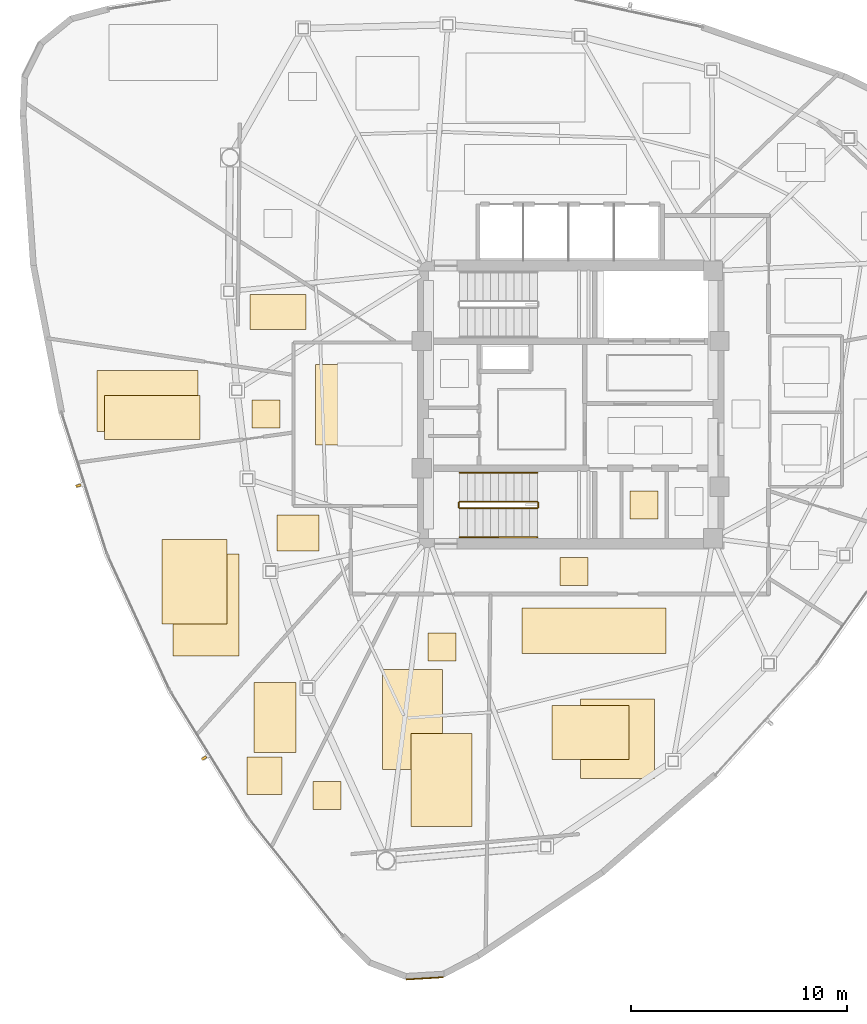
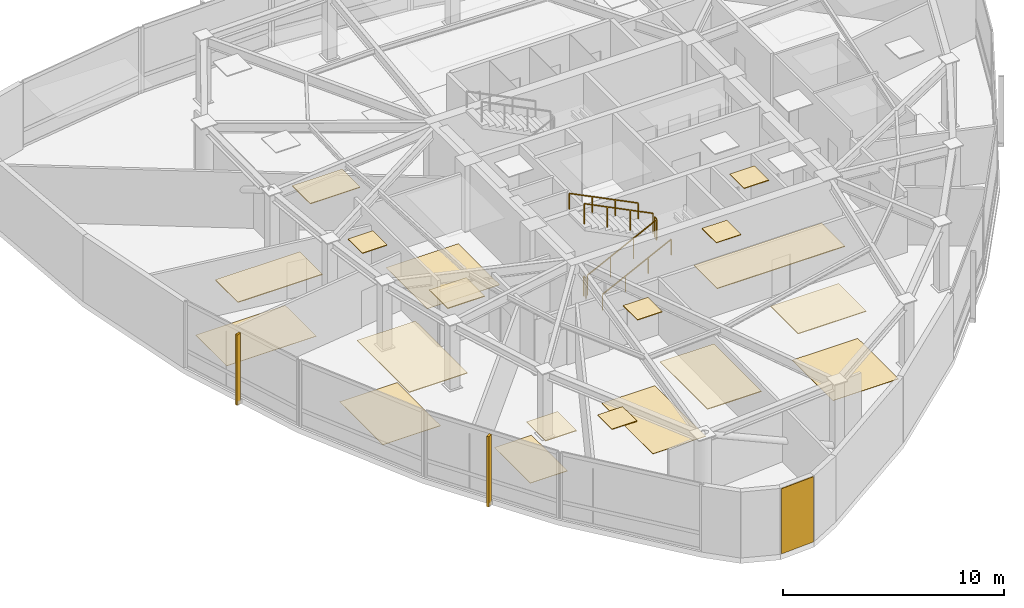
# One storey, part 12 of 14: 20 coverings, 6 railings, 2 shading devices.
"""IFC4 building model written with IfcOpenShell, lengths in metres."""

from ifc_helpers import new_model, si_unit, direction, frame, origin, origin_2d, place, context, subcontext, project, spatial, polyline, rectangle, outline, extrude, source, transform, mapped, material, layer, layer_set, type_object, type_shapes, element, save


model = new_model("IFC4")

# Units and contexts
model_context = context("Model", 3, precision=1e-05, world=origin(), true_north=direction((0.0, 1.0)))
body_context = subcontext(model_context, "Body", "Model", "MODEL_VIEW")
ifc_project = project(units=[si_unit("LENGTHUNIT", "METRE"), si_unit("AREAUNIT", "SQUARE_METRE"), si_unit("VOLUMEUNIT", "CUBIC_METRE"), si_unit("PLANEANGLEUNIT", "RADIAN"), si_unit("MASSUNIT", "GRAM", prefix="KILO")], contexts=[model_context])

# Site, building, storey
site_placement = place(None, origin())
site = spatial("IfcSite", under=ifc_project, at=site_placement, CompositionType="ELEMENT")
building_placement = place(site_placement, origin())
building = spatial("IfcBuilding", under=site, at=building_placement, Name="Tavelor Broadcast Tower", CompositionType="ELEMENT")
storey_placement = place(building_placement, frame((0.0, 0.0, 257.699951171875)))
storey = spatial("IfcBuildingStorey", under=building, at=storey_placement, Name="L61", CompositionType="ELEMENT", Elevation=257.699951171875)

# Covering
ifc_material_1 = material(Name="Copper-Bronze Anodized Aluminium", Category="aluminium")
ifc_layer_1 = layer(ifc_material_1, 0.050048828125)
ifc_layer_set_1 = layer_set([ifc_layer_1], Name="Copper-Bronze Anodized Aluminium")
covering_type_1 = type_object("IfcCoveringType", Name="Champagne-Bronze Corner Pier Metal Cladding 50 mm", PredefinedType="CLADDING", material=ifc_layer_set_1)
covering_1_placement = place(storey_placement, frame((43.2333984375, 18.392578125, 0.02001953125), z_axis=(0.0, 0.0, 1.0), x_axis=(0.998187693254, 0.060177479469, 0.0)))
element("IfcCovering", 1, at=covering_1_placement, inside=storey, type_object=covering_type_1, Name="L61 Champagne-Bronze Corner Cladding 13", PredefinedType="CLADDING", context=body_context, shape_type="SweptSolid", body=[
    extrude(rectangle(XDim=1.730224609375, YDim=0.050048828125, at=origin_2d()), origin(), (0.0, 0.0, 1.0), 3.610107421875),
])

# Railings
ifc_material_2 = material(Name="Steel S355", Category="steel")
railing_type_1 = type_object("IfcRailingType", Name="Continuous Brushed Stainless Handrail 900 mm", PredefinedType="HANDRAIL", material=ifc_material_2)
railing_1_placement = place(storey_placement, frame((44.85009765625, 38.85009765625, 0.1796875)))
element("IfcRailing", 2, at=railing_1_placement, inside=storey, type_object=railing_type_1, Name="L61 ST2 stair handrail 1", PredefinedType="HANDRAIL", context=body_context, shape_type="SweptSolid", body=[
    extrude(rectangle(XDim=0.048095703125, YDim=0.048095703125, at=origin_2d()), frame((0.0, 0.0, 0.8759765625), z_axis=(0.894875846893, 0.0, 0.446315156192), x_axis=(0.0, 1.0, 0.0)), (0.0, 0.0, 1.0), 4.022705078125),
    extrude(rectangle(XDim=0.0419921875, YDim=0.0419921875, at=origin_2d()), origin(), (0.0, 0.0, 1.0), 0.851806640625),
    extrude(rectangle(XDim=0.0419921875, YDim=0.0419921875, at=origin_2d()), frame((1.199951171875, 0.0, 0.598388671875)), (0.0, 0.0, 1.0), 0.851806640625),
    extrude(rectangle(XDim=0.0419921875, YDim=0.0419921875, at=origin_2d()), frame((2.39990234375, 0.0, 1.197021484375)), (0.0, 0.0, 1.0), 0.851806640625),
    extrude(rectangle(XDim=0.0419921875, YDim=0.0419921875, at=origin_2d()), frame((3.599853515625, 0.0, 1.79541015625)), (0.0, 0.0, 1.0), 0.851806640625),
])
railing_2_placement = place(storey_placement, frame((48.449951171875, 41.85009765625, 2.154541015625)))
element("IfcRailing", 3, at=railing_2_placement, inside=storey, type_object=railing_type_1, Name="L61 ST2 stair handrail 2", PredefinedType="HANDRAIL", context=body_context, shape_type="SweptSolid", body=[
    extrude(rectangle(XDim=0.048095703125, YDim=0.048095703125, at=origin_2d()), frame((0.0, 0.0, 0.8759765625), z_axis=(-0.894875846893, 0.0, 0.446315156192), x_axis=(0.0, -1.0, 0.0)), (0.0, 0.0, 1.0), 4.022705078125),
    extrude(rectangle(XDim=0.0419921875, YDim=0.0419921875, at=origin_2d()), origin(), (0.0, 0.0, 1.0), 0.851806640625),
    extrude(rectangle(XDim=0.0419921875, YDim=0.0419921875, at=origin_2d()), frame((-1.199951171875, 0.0, 0.598388671875)), (0.0, 0.0, 1.0), 0.851806640625),
    extrude(rectangle(XDim=0.0419921875, YDim=0.0419921875, at=origin_2d()), frame((-2.39990234375, 0.0, 1.197021484375)), (0.0, 0.0, 1.0), 0.851806640625),
    extrude(rectangle(XDim=0.0419921875, YDim=0.0419921875, at=origin_2d()), frame((-3.599853515625, 0.0, 1.79541015625)), (0.0, 0.0, 1.0), 0.851806640625),
])

# Coverings
ifc_material_3 = material(Name="Architectural Anodized Aluminium", Category="aluminium")
ifc_layer_2 = layer(ifc_material_3, 0.034912109375)
ifc_layer_set_2 = layer_set([ifc_layer_2], Name="Architectural Anodized Aluminium")
covering_type_2 = type_object("IfcCoveringType", Name="Demountable Metal Tile Corridor Ceiling 35 mm", PredefinedType="CEILING", material=ifc_layer_set_2)
covering_2_placement = place(storey_placement, frame((0.0, 0.0, 3.614990234375)))
element("IfcCovering", 4, at=covering_2_placement, inside=storey, type_object=covering_type_2, Name="L61 Suspended Acoustic Ceiling 2379", PredefinedType="CEILING", context=body_context, shape_type="SweptSolid", body=[
    extrude(outline(polyline([(49.51025390625, 36.610107421875), (50.810302734375, 36.610107421875), (50.810302734375, 37.909912109375), (49.51025390625, 37.909912109375), (49.51025390625, 36.610107421875)])), origin(), (0.0, 0.0, 1.0), 0.03515625),
])
ifc_material_4 = material(Name="Acoustic Nylon Carpet Tile")
ifc_layer_3 = layer(ifc_material_4, 0.02001953125)
ifc_layer_set_3 = layer_set([ifc_layer_3], Name="Acoustic Nylon Carpet Tile")
covering_type_3 = type_object("IfcCoveringType", Name="Heavy-Duty Acoustic Broadcast Carpet Tile 20 mm", PredefinedType="FLOORING", material=ifc_layer_set_3)
covering_3_placement = place(storey_placement, origin())
element("IfcCovering", 5, at=covering_3_placement, inside=storey, type_object=covering_type_3, Name="L61 Broadcast Floor Finish 0898", PredefinedType="FLOORING", context=body_context, shape_type="SweptSolid", body=[
    extrude(outline(polyline([(38.15771484375, 43.12890625), (41.942138671875, 43.12890625), (41.942138671875, 46.87060546875), (38.15771484375, 46.87060546875), (38.15771484375, 43.12890625)])), origin(), (0.0, 0.0, 1.0), 0.02001953125),
])
covering_4_placement = place(storey_placement, origin())
element("IfcCovering", 6, at=covering_4_placement, inside=storey, type_object=covering_type_3, Name="L61 Broadcast Floor Finish 0901", PredefinedType="FLOORING", context=body_context, shape_type="SweptSolid", body=[
    extrude(outline(polyline([(50.444580078125, 27.650146484375), (53.87548828125, 27.650146484375), (53.87548828125, 31.341796875), (50.444580078125, 31.341796875), (50.444580078125, 27.650146484375)])), origin(), (0.0, 0.0, 1.0), 0.02001953125),
])
covering_5_placement = place(storey_placement, origin())
element("IfcCovering", 7, at=covering_5_placement, inside=storey, type_object=covering_type_3, Name="L61 Broadcast Floor Finish 0902", PredefinedType="FLOORING", context=body_context, shape_type="SweptSolid", body=[
    extrude(outline(polyline([(41.272216796875, 28.089599609375), (44.0439453125, 28.089599609375), (44.0439453125, 32.705810546875), (41.272216796875, 32.705810546875), (41.272216796875, 28.089599609375)])), origin(), (0.0, 0.0, 1.0), 0.02001953125),
])
covering_6_placement = place(storey_placement, origin())
element("IfcCovering", 8, at=covering_6_placement, inside=storey, type_object=covering_type_3, Name="L61 Broadcast Floor Finish 0903", PredefinedType="FLOORING", context=body_context, shape_type="SweptSolid", body=[
    extrude(outline(polyline([(35.30517578125, 28.85498046875), (37.250244140625, 28.85498046875), (37.250244140625, 32.114990234375), (35.30517578125, 32.114990234375), (35.30517578125, 28.85498046875)])), origin(), (0.0, 0.0, 1.0), 0.02001953125),
])
covering_7_placement = place(storey_placement, origin())
element("IfcCovering", 9, at=covering_7_placement, inside=storey, type_object=covering_type_3, Name="L61 Broadcast Floor Finish 0904", PredefinedType="FLOORING", context=body_context, shape_type="SweptSolid", body=[
    extrude(outline(polyline([(31.039794921875, 34.822265625), (34.057373046875, 34.822265625), (34.057373046875, 38.751708984375), (31.039794921875, 38.751708984375), (31.039794921875, 34.822265625)])), origin(), (0.0, 0.0, 1.0), 0.02001953125),
])
covering_8_placement = place(storey_placement, origin())
element("IfcCovering", 10, at=covering_8_placement, inside=storey, type_object=covering_type_3, Name="L61 Broadcast Floor Finish 0905", PredefinedType="FLOORING", context=body_context, shape_type="SweptSolid", body=[
    extrude(outline(polyline([(28.027587890625, 43.7626953125), (32.713623046875, 43.7626953125), (32.713623046875, 46.57568359375), (28.027587890625, 46.57568359375), (28.027587890625, 43.7626953125)])), origin(), (0.0, 0.0, 1.0), 0.02001953125),
])

# Railings
railing_type_2 = type_object("IfcRailingType", Name="Stairwell Steel Safety Guardrail 1150 mm", PredefinedType="GUARDRAIL", material=ifc_material_2)
railing_3_placement = place(storey_placement, frame((44.85009765625, 40.199951171875, 0.1796875)))
element("IfcRailing", 11, at=railing_3_placement, inside=storey, type_object=railing_type_2, Name="L61 ST2 stair guard 1", PredefinedType="GUARDRAIL", context=body_context, shape_type="SweptSolid", body=[
    extrude(rectangle(XDim=0.048095703125, YDim=0.048095703125, at=origin_2d()), frame((0.0, 0.0, 1.1259765625), z_axis=(0.894875846893, 0.0, 0.446315156192), x_axis=(0.0, 1.0, 0.0)), (0.0, 0.0, 1.0), 4.022705078125),
    extrude(rectangle(XDim=0.0419921875, YDim=0.0419921875, at=origin_2d()), origin(), (0.0, 0.0, 1.0), 1.101806640625),
    extrude(rectangle(XDim=0.0419921875, YDim=0.0419921875, at=origin_2d()), frame((1.199951171875, 0.0, 0.598388671875)), (0.0, 0.0, 1.0), 1.101806640625),
    extrude(rectangle(XDim=0.0419921875, YDim=0.0419921875, at=origin_2d()), frame((2.39990234375, 0.0, 1.197021484375)), (0.0, 0.0, 1.0), 1.101806640625),
    extrude(rectangle(XDim=0.0419921875, YDim=0.0419921875, at=origin_2d()), frame((3.599853515625, 0.0, 1.79541015625)), (0.0, 0.0, 1.0), 1.101806640625),
])
railing_4_placement = place(storey_placement, frame((48.5, 40.25, 1.97509765625)))
element("IfcRailing", 12, at=railing_4_placement, inside=storey, type_object=railing_type_2, Name="L61 ST2 stair guard 2", PredefinedType="GUARDRAIL", context=body_context, shape_type="SweptSolid", body=[
    extrude(rectangle(XDim=0.048095703125, YDim=0.048095703125, at=origin_2d()), frame((0.0, 0.0, 1.1259765625), z_axis=(0.0, 1.0, 0.0), x_axis=(-1.0, 0.0, 0.0)), (0.0, 0.0, 1.0), 0.199951171875),
    extrude(rectangle(XDim=0.0419921875, YDim=0.0419921875, at=origin_2d()), origin(), (0.0, 0.0, 1.0), 1.101806640625),
    extrude(rectangle(XDim=0.0419921875, YDim=0.0419921875, at=origin_2d()), frame((0.0, 0.199951171875, 0.0)), (0.0, 0.0, 1.0), 1.101806640625),
])
railing_5_placement = place(storey_placement, frame((48.449951171875, 40.5, 2.154541015625)))
element("IfcRailing", 13, at=railing_5_placement, inside=storey, type_object=railing_type_2, Name="L61 ST2 stair guard 3", PredefinedType="GUARDRAIL", context=body_context, shape_type="SweptSolid", body=[
    extrude(rectangle(XDim=0.048095703125, YDim=0.048095703125, at=origin_2d()), frame((0.0, 0.0, 1.1259765625), z_axis=(-0.894875846893, 0.0, 0.446315156192), x_axis=(0.0, -1.0, 0.0)), (0.0, 0.0, 1.0), 4.022705078125),
    extrude(rectangle(XDim=0.0419921875, YDim=0.0419921875, at=origin_2d()), origin(), (0.0, 0.0, 1.0), 1.101806640625),
    extrude(rectangle(XDim=0.0419921875, YDim=0.0419921875, at=origin_2d()), frame((-1.199951171875, 0.0, 0.598388671875)), (0.0, 0.0, 1.0), 1.101806640625),
    extrude(rectangle(XDim=0.0419921875, YDim=0.0419921875, at=origin_2d()), frame((-2.39990234375, 0.0, 1.197021484375)), (0.0, 0.0, 1.0), 1.101806640625),
    extrude(rectangle(XDim=0.0419921875, YDim=0.0419921875, at=origin_2d()), frame((-3.599853515625, 0.0, 1.79541015625)), (0.0, 0.0, 1.0), 1.101806640625),
])
railing_6_placement = place(storey_placement, frame((44.800048828125, 40.25, 0.0)))
element("IfcRailing", 14, at=railing_6_placement, inside=storey, type_object=railing_type_2, Name="L61 ST2 stair guard 4", PredefinedType="GUARDRAIL", context=body_context, shape_type="SweptSolid", body=[
    extrude(rectangle(XDim=0.048095703125, YDim=0.048095703125, at=origin_2d()), frame((0.0, 0.0, 1.1259765625), z_axis=(0.0, 1.0, 0.0), x_axis=(-1.0, 0.0, 0.0)), (0.0, 0.0, 1.0), 0.199951171875),
    extrude(rectangle(XDim=0.0419921875, YDim=0.0419921875, at=origin_2d()), origin(), (0.0, 0.0, 1.0), 1.101806640625),
    extrude(rectangle(XDim=0.0419921875, YDim=0.0419921875, at=origin_2d()), frame((0.0, 0.199951171875, 0.0)), (0.0, 0.0, 1.0), 1.101806640625),
])

# Coverings
ifc_material_5 = material(Name="Acoustic Mineral Fibre Tile")
ifc_layer_4 = layer(ifc_material_5, 0.0400390625)
ifc_layer_set_4 = layer_set([ifc_layer_4], Name="Acoustic Mineral Fibre Tile")
covering_type_4 = type_object("IfcCoveringType", Name="Suspended Acoustic Mineral-Fibre Office Ceiling 40 mm", PredefinedType="CEILING", material=ifc_layer_set_4)
covering_9_placement = place(storey_placement, frame((0.0, 0.0, 3.610107421875)))
element("IfcCovering", 15, at=covering_9_placement, inside=storey, type_object=covering_type_4, Name="L61 Suspended Acoustic Ceiling 2375", PredefinedType="CEILING", context=body_context, shape_type="SweptSolid", body=[
    extrude(outline(polyline([(52.75, 39.699951171875), (54.050048828125, 39.699951171875), (54.050048828125, 41.0), (52.75, 41.0), (52.75, 39.699951171875)])), origin(), (0.0, 0.0, 1.0), 0.0400390625),
])
covering_10_placement = place(storey_placement, frame((0.0, 0.0, 3.610107421875)))
element("IfcCovering", 16, at=covering_10_placement, inside=storey, type_object=covering_type_4, Name="L61 Suspended Acoustic Ceiling 2383", PredefinedType="CEILING", context=body_context, shape_type="SweptSolid", body=[
    extrude(outline(polyline([(49.135009765625, 28.53271484375), (52.697021484375, 28.53271484375), (52.697021484375, 31.042724609375), (49.135009765625, 31.042724609375), (49.135009765625, 28.53271484375)])), origin(), (0.0, 0.0, 1.0), 0.0400390625),
])
covering_11_placement = place(storey_placement, frame((0.0, 0.0, 3.610107421875)))
element("IfcCovering", 17, at=covering_11_placement, inside=storey, type_object=covering_type_4, Name="L61 Suspended Acoustic Ceiling 2384", PredefinedType="CEILING", context=body_context, shape_type="SweptSolid", body=[
    extrude(outline(polyline([(47.7451171875, 33.45849609375), (54.41455078125, 33.45849609375), (54.41455078125, 35.563720703125), (47.7451171875, 35.563720703125), (47.7451171875, 33.45849609375)])), origin(), (0.0, 0.0, 1.0), 0.0400390625),
])
covering_12_placement = place(storey_placement, frame((0.0, 0.0, 3.610107421875)))
element("IfcCovering", 18, at=covering_12_placement, inside=storey, type_object=covering_type_4, Name="L61 Suspended Acoustic Ceiling 2385", PredefinedType="CEILING", context=body_context, shape_type="SweptSolid", body=[
    extrude(outline(polyline([(38.0556640625, 26.214599609375), (39.355712890625, 26.214599609375), (39.355712890625, 27.514404296875), (38.0556640625, 27.514404296875), (38.0556640625, 26.214599609375)])), origin(), (0.0, 0.0, 1.0), 0.0400390625),
])
covering_13_placement = place(storey_placement, frame((0.0, 0.0, 3.610107421875)))
element("IfcCovering", 19, at=covering_13_placement, inside=storey, type_object=covering_type_4, Name="L61 Suspended Acoustic Ceiling 2386", PredefinedType="CEILING", context=body_context, shape_type="SweptSolid", body=[
    extrude(outline(polyline([(43.373046875, 33.119384765625), (44.673095703125, 33.119384765625), (44.673095703125, 34.41943359375), (43.373046875, 34.41943359375), (43.373046875, 33.119384765625)])), origin(), (0.0, 0.0, 1.0), 0.0400390625),
])
covering_14_placement = place(storey_placement, frame((0.0, 0.0, 3.610107421875)))
element("IfcCovering", 20, at=covering_14_placement, inside=storey, type_object=covering_type_4, Name="L61 Suspended Acoustic Ceiling 2387", PredefinedType="CEILING", context=body_context, shape_type="SweptSolid", body=[
    extrude(outline(polyline([(42.60205078125, 25.427978515625), (45.41748046875, 25.427978515625), (45.41748046875, 29.74169921875), (42.60205078125, 29.74169921875), (42.60205078125, 25.427978515625)])), origin(), (0.0, 0.0, 1.0), 0.0400390625),
])
covering_15_placement = place(storey_placement, frame((0.0, 0.0, 3.610107421875)))
element("IfcCovering", 21, at=covering_15_placement, inside=storey, type_object=covering_type_4, Name="L61 Suspended Acoustic Ceiling 2388", PredefinedType="CEILING", context=body_context, shape_type="SweptSolid", body=[
    extrude(outline(polyline([(34.986328125, 26.92431640625), (36.611572265625, 26.92431640625), (36.611572265625, 28.65576171875), (34.986328125, 28.65576171875), (34.986328125, 26.92431640625)])), origin(), (0.0, 0.0, 1.0), 0.0400390625),
])
covering_16_placement = place(storey_placement, frame((0.0, 0.0, 3.610107421875)))
element("IfcCovering", 22, at=covering_16_placement, inside=storey, type_object=covering_type_4, Name="L61 Suspended Acoustic Ceiling 2389", PredefinedType="CEILING", context=body_context, shape_type="SweptSolid", body=[
    extrude(outline(polyline([(31.559326171875, 33.340576171875), (34.610595703125, 33.340576171875), (34.610595703125, 38.06591796875), (31.559326171875, 38.06591796875), (31.559326171875, 33.340576171875)])), origin(), (0.0, 0.0, 1.0), 0.0400390625),
])
covering_17_placement = place(storey_placement, frame((0.0, 0.0, 3.610107421875)))
element("IfcCovering", 23, at=covering_17_placement, inside=storey, type_object=covering_type_4, Name="L61 Suspended Acoustic Ceiling 2390", PredefinedType="CEILING", context=body_context, shape_type="SweptSolid", body=[
    extrude(outline(polyline([(36.384521484375, 38.205078125), (38.322509765625, 38.205078125), (38.322509765625, 39.88623046875), (36.384521484375, 39.88623046875), (36.384521484375, 38.205078125)])), origin(), (0.0, 0.0, 1.0), 0.0400390625),
])
covering_18_placement = place(storey_placement, frame((0.0, 0.0, 3.610107421875)))
element("IfcCovering", 24, at=covering_18_placement, inside=storey, type_object=covering_type_4, Name="L61 Suspended Acoustic Ceiling 2391", PredefinedType="CEILING", context=body_context, shape_type="SweptSolid", body=[
    extrude(outline(polyline([(28.387939453125, 43.374267578125), (32.81787109375, 43.374267578125), (32.81787109375, 45.42431640625), (28.387939453125, 45.42431640625), (28.387939453125, 43.374267578125)])), origin(), (0.0, 0.0, 1.0), 0.0400390625),
])
covering_19_placement = place(storey_placement, frame((0.0, 0.0, 3.610107421875)))
element("IfcCovering", 25, at=covering_19_placement, inside=storey, type_object=covering_type_4, Name="L61 Suspended Acoustic Ceiling 2392", PredefinedType="CEILING", context=body_context, shape_type="SweptSolid", body=[
    extrude(outline(polyline([(35.209716796875, 43.90966796875), (36.509765625, 43.90966796875), (36.509765625, 45.209716796875), (35.209716796875, 45.209716796875), (35.209716796875, 43.90966796875)])), origin(), (0.0, 0.0, 1.0), 0.0400390625),
])
covering_20_placement = place(storey_placement, frame((0.0, 0.0, 3.610107421875)))
element("IfcCovering", 26, at=covering_20_placement, inside=storey, type_object=covering_type_4, Name="L61 Suspended Acoustic Ceiling 2393", PredefinedType="CEILING", context=body_context, shape_type="SweptSolid", body=[
    extrude(outline(polyline([(35.121826171875, 48.478271484375), (37.73291015625, 48.478271484375), (37.73291015625, 50.117431640625), (35.121826171875, 50.117431640625), (35.121826171875, 48.478271484375)])), origin(), (0.0, 0.0, 1.0), 0.0400390625),
])

# Shading devices
ifc_material_6 = material(Name="Kiln-Fired Glazed Terracotta", Category="masonry")
shading_device_type = type_object("IfcShadingDeviceType", Name="Extruded Terracotta Baguette Sun-Screen 110x240", PredefinedType="JALOUSIE", material=ifc_material_6)
shared_shape = source(origin(), body_context, "Body", "SweptSolid", [
    extrude(rectangle(XDim=0.110107421875, YDim=0.239990234375, at=origin_2d()), origin(), (0.0, 0.0, 1.0), 3.889892578125),
])
type_shapes(shading_device_type, [shared_shape])
for number, where, z_axis, x_axis, name in (
    (27, (27.164306640625, 41.242431640625, -0.259765625), (0.0, 0.0, 1.0), (0.306193796821, -0.951969200546, 0.0), "L61 Terracotta Baguette Fin 637"),
    (28, (32.997802734375, 28.603515625, -0.259765625), (0.0, 0.0, 1.0), (0.525917062677, -0.850535856496, 0.0), "L61 Terracotta Baguette Fin 638"),
):
    element("IfcShadingDevice", number, at=place(storey_placement, frame(where, z_axis=z_axis, x_axis=x_axis)), inside=storey, type_object=shading_device_type, Name=name, PredefinedType="JALOUSIE", context=body_context, shape_type="MappedRepresentation", body=[
        mapped(shared_shape, transform((0.0, 0.0, 0.0), scale=1.0)),
    ])

save(model, "model.ifc")
